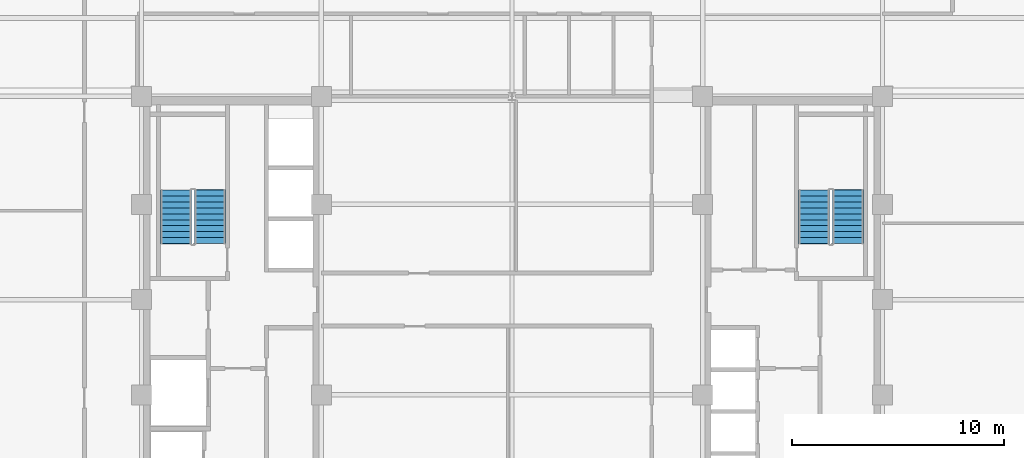
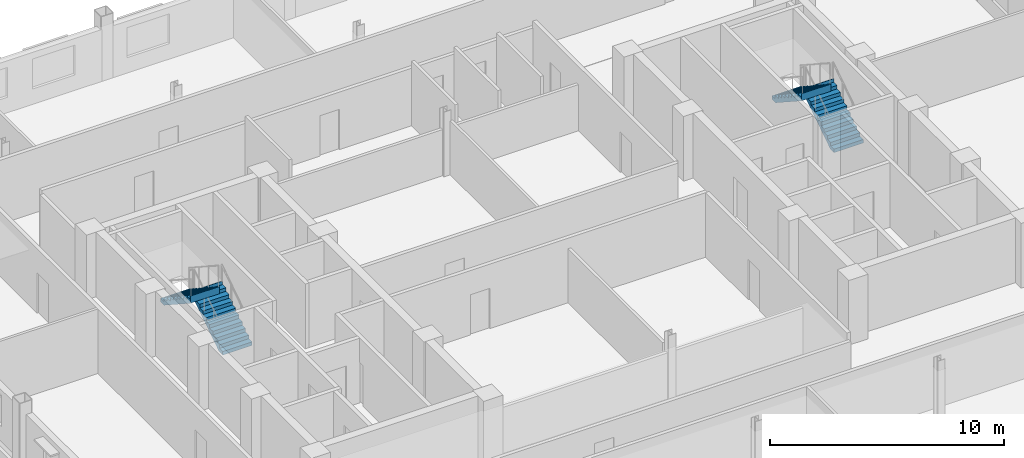
# One storey, part 10 of 14: 4 stair flights, 2 elements without a shape of their own.
"""IFC4 building model written with IfcOpenShell, lengths in metres."""

from ifc_helpers import new_model, si_unit, direction, frame, origin, place, context, subcontext, project, spatial, polyline, outline, extrude, material, type_object, element, aggregate, save


model = new_model("IFC4")

# Units and contexts
model_context = context("Model", 3, precision=1e-05, world=origin(), true_north=direction((0.0, 1.0)))
body_context = subcontext(model_context, "Body", "Model", "MODEL_VIEW")
ifc_project = project(units=[si_unit("LENGTHUNIT", "METRE"), si_unit("AREAUNIT", "SQUARE_METRE"), si_unit("VOLUMEUNIT", "CUBIC_METRE"), si_unit("PLANEANGLEUNIT", "RADIAN"), si_unit("MASSUNIT", "GRAM", prefix="KILO")], contexts=[model_context])

# Site, building, storey
site_placement = place(None, origin())
site = spatial("IfcSite", under=ifc_project, at=site_placement, CompositionType="ELEMENT")
building_placement = place(site_placement, origin())
building = spatial("IfcBuilding", under=site, at=building_placement, Name="Nuvemarco Arch Tower", CompositionType="ELEMENT")
storey_placement = place(building_placement, frame((0.0, 0.0, 138.449951171875)))
storey = spatial("IfcBuildingStorey", under=building, at=storey_placement, Name="L36", CompositionType="ELEMENT", Elevation=138.449951171875)

# Stair, stair flights
ifc_material = material(Name="Precast concrete C45/55", Category="concrete")
stair_type = type_object("IfcStairType", Name="ST-CORE-20R", PredefinedType="HALF_TURN_STAIR", material=ifc_material)
stair_1_placement = place(storey_placement, origin())
stair_1 = element("IfcStair", 1, at=stair_1_placement, inside=storey, type_object=stair_type, Name="L36 Protected Exit Stair ST-1", PredefinedType="HALF_TURN_STAIR")
stair_flight_type = type_object("IfcStairFlightType", Name="SF-CORE-20R", PredefinedType="STRAIGHT", material=ifc_material)
stair_flight_1_placement = place(storey_placement, frame((-14.264892578125, 2.64990234375, 0.0), z_axis=(0.0, 0.0, 1.0), x_axis=(0.0, 1.0, 0.0)))
stair_flight_1 = element("IfcStairFlight", 2, at=stair_flight_1_placement, type_object=stair_flight_type, Name="ST-20R flight 1", NumberOfRisers=10, NumberOfTreads=9, PredefinedType="STRAIGHT", RiserHeight=0.1825, TreadLength=0.28, context=body_context, shape_type="SweptSolid", body=[
    extrude(outline(polyline([(0.0, 0.0), (0.0, 0.1826171875), (0.280029296875, 0.1826171875), (0.280029296875, 0.364990234375), (0.56005859375, 0.364990234375), (0.56005859375, 0.547607421875), (0.840087890625, 0.547607421875), (0.840087890625, 0.72998046875), (1.1201171875, 0.72998046875), (1.1201171875, 0.91259765625), (1.39990234375, 0.91259765625), (1.39990234375, 1.094970703125), (1.679931640625, 1.094970703125), (1.679931640625, 1.277587890625), (1.9599609375, 1.277587890625), (1.9599609375, 1.4599609375), (2.239990234375, 1.4599609375), (2.239990234375, 1.642578125), (2.52001953125, 1.642578125), (2.52001953125, 1.824951171875), (2.5400390625, 1.824951171875), (2.5400390625, 1.45166015625), (0.312744140625, 0.0), (0.0, 0.0)])), frame((0.0, 0.72509765625, 0.0), z_axis=(0.0, -1.0, 0.0), x_axis=(1.0, 0.0, 0.0)), (0.0, 0.0, 1.0), 1.449951171875),
])
stair_flight_2_placement = place(storey_placement, frame((-15.875, 5.169921875, 1.824951171875), z_axis=(0.0, 0.0, 1.0), x_axis=(0.0, -1.0, 0.0)))
stair_flight_2 = element("IfcStairFlight", 3, at=stair_flight_2_placement, type_object=stair_flight_type, Name="ST-20R flight 2", NumberOfRisers=10, NumberOfTreads=9, PredefinedType="STRAIGHT", RiserHeight=0.1825, TreadLength=0.28, context=body_context, shape_type="SweptSolid", body=[
    extrude(outline(polyline([(0.0, 0.0), (0.0, 0.1826171875), (0.280029296875, 0.1826171875), (0.280029296875, 0.364990234375), (0.56005859375, 0.364990234375), (0.56005859375, 0.547607421875), (0.840087890625, 0.547607421875), (0.840087890625, 0.72998046875), (1.1201171875, 0.72998046875), (1.1201171875, 0.91259765625), (1.39990234375, 0.91259765625), (1.39990234375, 1.094970703125), (1.679931640625, 1.094970703125), (1.679931640625, 1.277587890625), (1.9599609375, 1.277587890625), (1.9599609375, 1.4599609375), (2.239990234375, 1.4599609375), (2.239990234375, 1.642578125), (2.52001953125, 1.642578125), (2.52001953125, 1.824951171875), (2.5400390625, 1.824951171875), (2.5400390625, 1.45166015625), (0.312744140625, 0.0), (0.0, 0.0)])), frame((0.0, 0.72509765625, 0.0), z_axis=(0.0, -1.0, 0.0), x_axis=(1.0, 0.0, 0.0)), (0.0, 0.0, 1.0), 1.449951171875),
])
aggregate(stair_1, [stair_flight_1, stair_flight_2])

stair_2_placement = place(storey_placement, origin())
stair_2 = element("IfcStair", 4, at=stair_2_placement, inside=storey, type_object=stair_type, Name="L36 Protected Exit Stair ST-2", PredefinedType="HALF_TURN_STAIR")
stair_flight_3_placement = place(storey_placement, frame((15.875, 2.64990234375, 0.0), z_axis=(0.0, 0.0, 1.0), x_axis=(0.0, 1.0, 0.0)))
stair_flight_3 = element("IfcStairFlight", 5, at=stair_flight_3_placement, type_object=stair_flight_type, Name="ST-20R flight 1", NumberOfRisers=10, NumberOfTreads=9, PredefinedType="STRAIGHT", RiserHeight=0.1825, TreadLength=0.28, context=body_context, shape_type="SweptSolid", body=[
    extrude(outline(polyline([(0.0, 0.0), (0.0, 0.1826171875), (0.280029296875, 0.1826171875), (0.280029296875, 0.364990234375), (0.56005859375, 0.364990234375), (0.56005859375, 0.547607421875), (0.840087890625, 0.547607421875), (0.840087890625, 0.72998046875), (1.1201171875, 0.72998046875), (1.1201171875, 0.91259765625), (1.39990234375, 0.91259765625), (1.39990234375, 1.094970703125), (1.679931640625, 1.094970703125), (1.679931640625, 1.277587890625), (1.9599609375, 1.277587890625), (1.9599609375, 1.4599609375), (2.239990234375, 1.4599609375), (2.239990234375, 1.642578125), (2.52001953125, 1.642578125), (2.52001953125, 1.824951171875), (2.5400390625, 1.824951171875), (2.5400390625, 1.45166015625), (0.312744140625, 0.0), (0.0, 0.0)])), frame((0.0, 0.72509765625, 0.0), z_axis=(0.0, -1.0, 0.0), x_axis=(1.0, 0.0, 0.0)), (0.0, 0.0, 1.0), 1.449951171875),
])
stair_flight_4_placement = place(storey_placement, frame((14.264892578125, 5.169921875, 1.824951171875), z_axis=(0.0, 0.0, 1.0), x_axis=(0.0, -1.0, 0.0)))
stair_flight_4 = element("IfcStairFlight", 6, at=stair_flight_4_placement, type_object=stair_flight_type, Name="ST-20R flight 2", NumberOfRisers=10, NumberOfTreads=9, PredefinedType="STRAIGHT", RiserHeight=0.1825, TreadLength=0.28, context=body_context, shape_type="SweptSolid", body=[
    extrude(outline(polyline([(0.0, 0.0), (0.0, 0.1826171875), (0.280029296875, 0.1826171875), (0.280029296875, 0.364990234375), (0.56005859375, 0.364990234375), (0.56005859375, 0.547607421875), (0.840087890625, 0.547607421875), (0.840087890625, 0.72998046875), (1.1201171875, 0.72998046875), (1.1201171875, 0.91259765625), (1.39990234375, 0.91259765625), (1.39990234375, 1.094970703125), (1.679931640625, 1.094970703125), (1.679931640625, 1.277587890625), (1.9599609375, 1.277587890625), (1.9599609375, 1.4599609375), (2.239990234375, 1.4599609375), (2.239990234375, 1.642578125), (2.52001953125, 1.642578125), (2.52001953125, 1.824951171875), (2.5400390625, 1.824951171875), (2.5400390625, 1.45166015625), (0.312744140625, 0.0), (0.0, 0.0)])), frame((0.0, 0.72509765625, 0.0), z_axis=(0.0, -1.0, 0.0), x_axis=(1.0, 0.0, 0.0)), (0.0, 0.0, 1.0), 1.449951171875),
])
aggregate(stair_2, [stair_flight_3, stair_flight_4])

save(model, "model.ifc")
